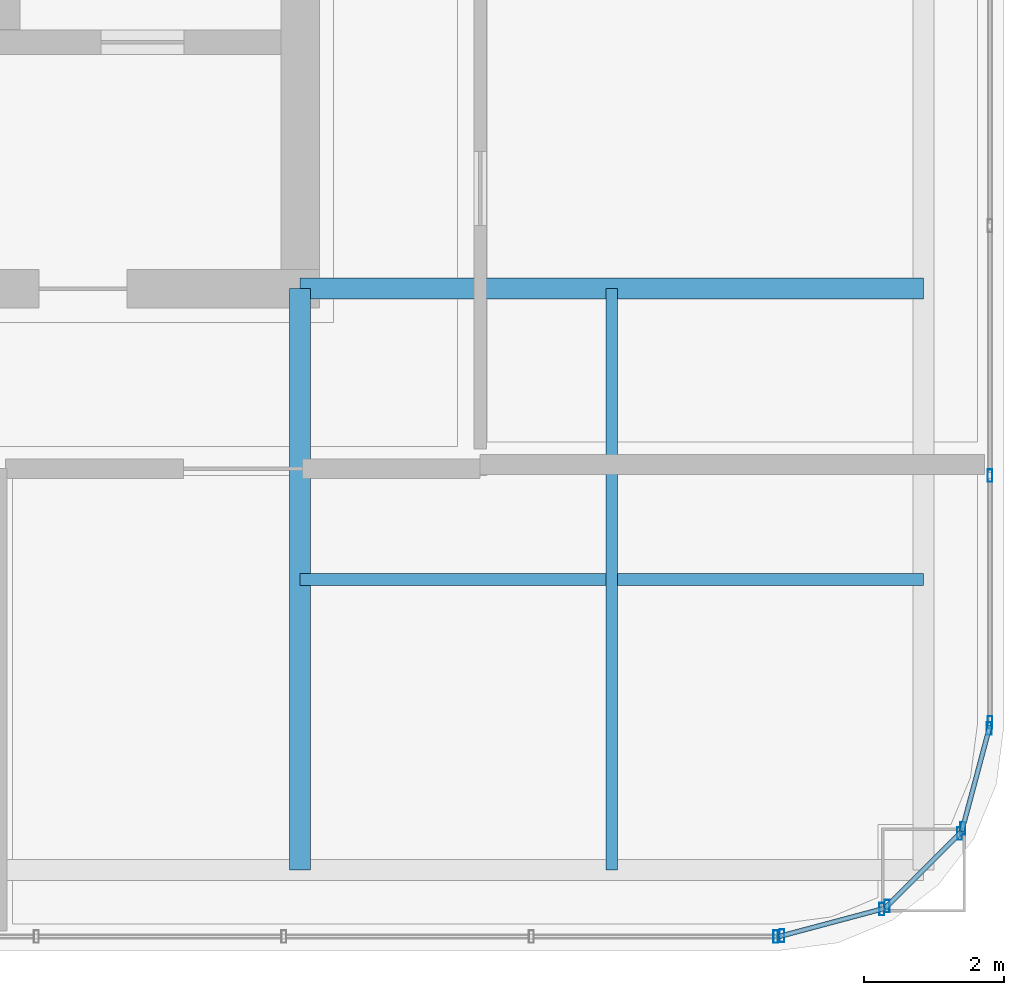
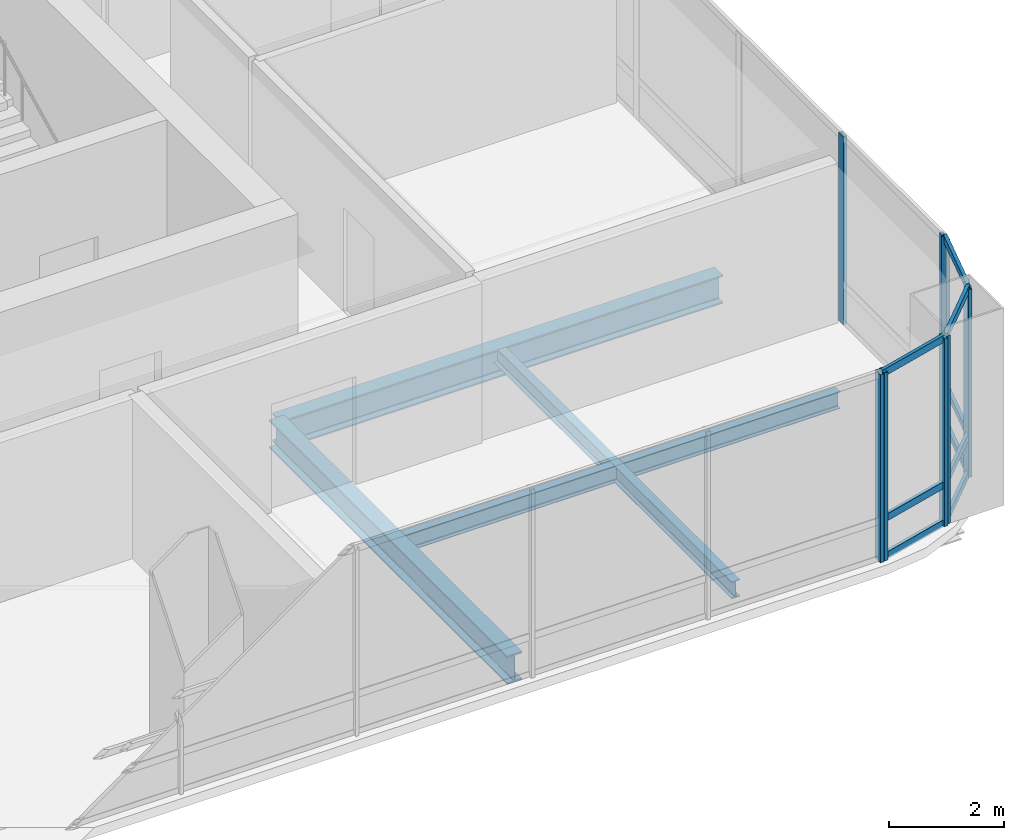
# One storey, part 16 of 42: 18 members, 4 beams, 5 elements without a shape of their own.
"""IFC4 building model written with IfcOpenShell, lengths in metres."""

from ifc_helpers import new_model, si_unit, direction, frame, origin, origin_2d, place, context, subcontext, project, spatial, hollow_rectangle, i_section, extrude, material, material_profile, profile_set, type_object, element, aggregate, save


model = new_model("IFC4")

# Units and contexts
model_context = context("Model", 3, precision=1e-05, world=origin(), true_north=direction((0.0, 1.0)))
body_context = subcontext(model_context, "Body", "Model", "MODEL_VIEW")
ifc_project = project(units=[si_unit("LENGTHUNIT", "METRE"), si_unit("AREAUNIT", "SQUARE_METRE"), si_unit("VOLUMEUNIT", "CUBIC_METRE"), si_unit("PLANEANGLEUNIT", "RADIAN"), si_unit("MASSUNIT", "GRAM", prefix="KILO")], contexts=[model_context])

# Site, building, storey
site_placement = place(None, origin())
site = spatial("IfcSite", under=ifc_project, at=site_placement, CompositionType="ELEMENT")
building_placement = place(site_placement, origin())
building = spatial("IfcBuilding", under=site, at=building_placement, Name="Punatoya Terracotta Tower", CompositionType="ELEMENT")
storey_placement = place(building_placement, frame((0.0, 0.0, 304.800048828125)))
storey = spatial("IfcBuildingStorey", under=building, at=storey_placement, Name="L72", CompositionType="ELEMENT", Elevation=304.800048828125)

# Beams
ifc_material_1 = material(Name="Steel S355", Category="steel")
ifc_material_profile_1 = material_profile(ifc_material_1, i_section(OverallWidth=0.300048828125, OverallDepth=0.60009765625, WebThickness=0.015380859375, FlangeThickness=0.030029296875, FilletRadius=0.01806640625, at=origin_2d()))
ifc_profile_set_1 = profile_set([ifc_material_profile_1], Name="Steel S355")
beam_type_1 = type_object("IfcBeamType", Name="BM-PRI-600", PredefinedType="BEAM", material=ifc_profile_set_1)
beam_1_placement = place(storey_placement, frame((10.199951171875, -9.199951171875, -0.5), z_axis=(1.0, 0.0, 0.0), x_axis=(0.0, 1.0, 0.0)))
element("IfcBeam", 1, at=beam_1_placement, inside=storey, type_object=beam_type_1, Name="BM-L72-PR-ES", PredefinedType="BEAM", context=body_context, shape_type="SweptSolid", body=[
    extrude(i_section(OverallWidth=0.300048828125, OverallDepth=0.60009765625, WebThickness=0.015380859375, FlangeThickness=0.030029296875, FilletRadius=0.01806640625, at=origin_2d()), origin(), (0.0, 0.0, 1.0), 8.900146484375),
])
beam_2_placement = place(storey_placement, frame((10.199951171875, -17.5, -0.5), z_axis=(0.0, 1.0, 0.0), x_axis=(-1.0, 0.0, 0.0)))
element("IfcBeam", 2, at=beam_2_placement, inside=storey, type_object=beam_type_1, Name="BM-L72-PR-S4", PredefinedType="BEAM", context=body_context, shape_type="SweptSolid", body=[
    extrude(i_section(OverallWidth=0.300048828125, OverallDepth=0.60009765625, WebThickness=0.015380859375, FlangeThickness=0.030029296875, FilletRadius=0.01806640625, at=origin_2d()), origin(), (0.0, 0.0, 1.0), 8.300048828125),
])
ifc_material_profile_2 = material_profile(ifc_material_1, i_section(OverallWidth=0.169921875, OverallDepth=0.360107421875, WebThickness=0.008056640625, FlangeThickness=0.0126953125, FilletRadius=0.01806640625, at=origin_2d()))
ifc_profile_set_2 = profile_set([ifc_material_profile_2], Name="Steel S355")
beam_type_2 = type_object("IfcBeamType", Name="BM-SEC-360", PredefinedType="JOIST", material=ifc_profile_set_2)
beam_3_placement = place(storey_placement, frame((10.199951171875, -13.35009765625, -0.380126953125), z_axis=(1.0, 0.0, 0.0), x_axis=(0.0, 1.0, 0.0)))
element("IfcBeam", 3, at=beam_3_placement, inside=storey, type_object=beam_type_2, Name="BM-L72-SJS-2", PredefinedType="JOIST", context=body_context, shape_type="SweptSolid", body=[
    extrude(i_section(OverallWidth=0.169921875, OverallDepth=0.360107421875, WebThickness=0.008056640625, FlangeThickness=0.0126953125, FilletRadius=0.01806640625, at=origin_2d()), origin(), (0.0, 0.0, 1.0), 8.900146484375),
])
beam_4_placement = place(storey_placement, frame((14.64990234375, -17.5, -0.380126953125), z_axis=(0.0, 1.0, 0.0), x_axis=(-1.0, 0.0, 0.0)))
element("IfcBeam", 4, at=beam_4_placement, inside=storey, type_object=beam_type_2, Name="BM-L72-SJE-1", PredefinedType="JOIST", context=body_context, shape_type="SweptSolid", body=[
    extrude(i_section(OverallWidth=0.169921875, OverallDepth=0.360107421875, WebThickness=0.008056640625, FlangeThickness=0.0126953125, FilletRadius=0.01806640625, at=origin_2d()), origin(), (0.0, 0.0, 1.0), 8.300048828125),
])

# Curtain wall, member
ifc_material_2 = material(Name="Aluminium 6063-T6 + Double Low-E Glass", Category="aluminium")
curtain_wall_type = type_object("IfcCurtainWallType", Name="CW-M3", PredefinedType="NOTDEFINED", material=ifc_material_2)
curtain_wall_1_placement = place(storey_placement, origin())
curtain_wall_1 = element("IfcCurtainWall", 5, at=curtain_wall_1_placement, inside=storey, type_object=curtain_wall_type, Name="L72 Curtain Wall CW-L72-S01-1", PredefinedType="NOTDEFINED")
ifc_material_3 = material(Name="Aluminium 6063-T6", Category="aluminium")
ifc_material_profile_3 = material_profile(ifc_material_3, hollow_rectangle(XDim=0.070068359375, YDim=0.179931640625, WallThickness=0.00390625, at=origin_2d()))
ifc_profile_set_3 = profile_set([ifc_material_profile_3], Name="Aluminium 6063-T6")
member_type_1 = type_object("IfcMemberType", Name="CW-MUL-M3", PredefinedType="MULLION", material=ifc_profile_set_3)
member_1_placement = place(storey_placement, frame((16.991943359375, -18.449951171875, 0.0), z_axis=(0.0, 0.0, 1.0), x_axis=(1.0, 0.0, 0.0)))
member_1 = element("IfcMember", 6, at=member_1_placement, type_object=member_type_1, Name="CW-L72-S01-1 Mullion 11", PredefinedType="MULLION", context=body_context, shape_type="SweptSolid", body=[
    extrude(hollow_rectangle(XDim=0.070068359375, YDim=0.179931640625, WallThickness=0.00390625, at=origin_2d()), origin(), (0.0, 0.0, 1.0), 4.0),
])
aggregate(curtain_wall_1, [member_1])

# Curtain wall, members
curtain_wall_2_placement = place(storey_placement, origin())
curtain_wall_2 = element("IfcCurtainWall", 7, at=curtain_wall_2_placement, inside=storey, type_object=curtain_wall_type, Name="L72 Curtain Wall CW-L72-CRN02", PredefinedType="NOTDEFINED")
member_2_placement = place(storey_placement, frame((17.080322265625, -18.4384765625, 0.0), z_axis=(0.0, 0.0, 1.0), x_axis=(1.0, 0.0, 0.0)))
member_2 = element("IfcMember", 8, at=member_2_placement, type_object=member_type_1, Name="CW-L72-CRN02 Mullion 00", PredefinedType="MULLION", context=body_context, shape_type="SweptSolid", body=[
    extrude(hollow_rectangle(XDim=0.070068359375, YDim=0.179931640625, WallThickness=0.00390625, at=origin_2d()), origin(), (0.0, 0.0, 1.0), 4.0),
])
member_3_placement = place(storey_placement, frame((18.505615234375, -18.05810546875, 0.0), z_axis=(0.0, 0.0, 1.0), x_axis=(1.0, 0.0, 0.0)))
member_3 = element("IfcMember", 9, at=member_3_placement, type_object=member_type_1, Name="CW-L72-CRN02 Mullion 01", PredefinedType="MULLION", context=body_context, shape_type="SweptSolid", body=[
    extrude(hollow_rectangle(XDim=0.070068359375, YDim=0.179931640625, WallThickness=0.00390625, at=origin_2d()), origin(), (0.0, 0.0, 1.0), 4.0),
])

curtain_wall_3_placement = place(storey_placement, origin())
curtain_wall_3 = element("IfcCurtainWall", 10, at=curtain_wall_3_placement, inside=storey, type_object=curtain_wall_type, Name="L72 Curtain Wall CW-L72-CRN03", PredefinedType="NOTDEFINED")
member_4_placement = place(storey_placement, frame((18.580810546875, -18.014892578125, 0.0), z_axis=(0.0, 0.0, 1.0), x_axis=(1.0, 0.0, 0.0)))
member_4 = element("IfcMember", 11, at=member_4_placement, type_object=member_type_1, Name="CW-L72-CRN03 Mullion 00", PredefinedType="MULLION", context=body_context, shape_type="SweptSolid", body=[
    extrude(hollow_rectangle(XDim=0.070068359375, YDim=0.179931640625, WallThickness=0.00390625, at=origin_2d()), origin(), (0.0, 0.0, 1.0), 4.0),
])
member_5_placement = place(storey_placement, frame((19.61474609375, -16.98095703125, 0.0), z_axis=(0.0, 0.0, 1.0), x_axis=(1.0, 0.0, 0.0)))
member_5 = element("IfcMember", 12, at=member_5_placement, type_object=member_type_1, Name="CW-L72-CRN03 Mullion 01", PredefinedType="MULLION", context=body_context, shape_type="SweptSolid", body=[
    extrude(hollow_rectangle(XDim=0.070068359375, YDim=0.179931640625, WallThickness=0.00390625, at=origin_2d()), origin(), (0.0, 0.0, 1.0), 4.0),
])

curtain_wall_4_placement = place(storey_placement, origin())
curtain_wall_4 = element("IfcCurtainWall", 13, at=curtain_wall_4_placement, inside=storey, type_object=curtain_wall_type, Name="L72 Curtain Wall CW-L72-CRN04", PredefinedType="NOTDEFINED")
member_6_placement = place(storey_placement, frame((19.658203125, -16.905517578125, 0.0), z_axis=(0.0, 0.0, 1.0), x_axis=(1.0, 0.0, 0.0)))
member_6 = element("IfcMember", 14, at=member_6_placement, type_object=member_type_1, Name="CW-L72-CRN04 Mullion 00", PredefinedType="MULLION", context=body_context, shape_type="SweptSolid", body=[
    extrude(hollow_rectangle(XDim=0.070068359375, YDim=0.179931640625, WallThickness=0.00390625, at=origin_2d()), origin(), (0.0, 0.0, 1.0), 4.0),
])
member_7_placement = place(storey_placement, frame((20.038330078125, -15.48046875, 0.0), z_axis=(0.0, 0.0, 1.0), x_axis=(1.0, 0.0, 0.0)))
member_7 = element("IfcMember", 15, at=member_7_placement, type_object=member_type_1, Name="CW-L72-CRN04 Mullion 01", PredefinedType="MULLION", context=body_context, shape_type="SweptSolid", body=[
    extrude(hollow_rectangle(XDim=0.070068359375, YDim=0.179931640625, WallThickness=0.00390625, at=origin_2d()), origin(), (0.0, 0.0, 1.0), 4.0),
])

curtain_wall_5_placement = place(storey_placement, origin())
curtain_wall_5 = element("IfcCurtainWall", 16, at=curtain_wall_5_placement, inside=storey, type_object=curtain_wall_type, Name="L72 Curtain Wall CW-L72-E05-1", PredefinedType="NOTDEFINED")
member_8_placement = place(storey_placement, frame((20.050048828125, -15.391845703125, 0.0), z_axis=(0.0, 0.0, 1.0), x_axis=(1.0, 0.0, 0.0)))
member_8 = element("IfcMember", 17, at=member_8_placement, type_object=member_type_1, Name="CW-L72-E05-1 Mullion 00", PredefinedType="MULLION", context=body_context, shape_type="SweptSolid", body=[
    extrude(hollow_rectangle(XDim=0.070068359375, YDim=0.179931640625, WallThickness=0.00390625, at=origin_2d()), origin(), (0.0, 0.0, 1.0), 4.0),
])
member_9_placement = place(storey_placement, frame((20.050048828125, -11.869384765625, 0.0), z_axis=(0.0, 0.0, 1.0), x_axis=(1.0, 0.0, 0.0)))
member_9 = element("IfcMember", 18, at=member_9_placement, type_object=member_type_1, Name="CW-L72-E05-1 Mullion 01", PredefinedType="MULLION", context=body_context, shape_type="SweptSolid", body=[
    extrude(hollow_rectangle(XDim=0.070068359375, YDim=0.179931640625, WallThickness=0.00390625, at=origin_2d()), origin(), (0.0, 0.0, 1.0), 4.0),
])
aggregate(curtain_wall_5, [member_8, member_9])

# Member
ifc_material_profile_4 = material_profile(ifc_material_3, hollow_rectangle(XDim=0.068115234375, YDim=0.14990234375, WallThickness=0.00390625, at=origin_2d()))
ifc_profile_set_4 = profile_set([ifc_material_profile_4], Name="Aluminium 6063-T6")
member_type_2 = type_object("IfcMemberType", Name="CW-TRN-TYP", PredefinedType="USERDEFINED", material=ifc_profile_set_4)
member_10_placement = place(storey_placement, frame((17.036865234375, -18.449951171875, 0.0400390625), z_axis=(0.966224582397, 0.257701486942, 0.0), x_axis=(-0.257701486942, 0.966224582397, 0.0)))
member_10 = element("IfcMember", 19, at=member_10_placement, type_object=member_type_2, Name="CW-L72-CRN02 Transom 1", ObjectType="TRANSOM", PredefinedType="USERDEFINED", context=body_context, shape_type="SweptSolid", body=[
    extrude(hollow_rectangle(XDim=0.068115234375, YDim=0.14990234375, WallThickness=0.00390625, at=origin_2d()), origin(), (0.0, 0.0, 1.0), 1.565185546875),
])

member_11_placement = place(storey_placement, frame((17.036865234375, -18.449951171875, 0.849853515625), z_axis=(0.966224582397, 0.257701486942, 0.0), x_axis=(-0.257701486942, 0.966224582397, 0.0)))
member_11 = element("IfcMember", 20, at=member_11_placement, type_object=member_type_2, Name="CW-L72-CRN02 Transom 2", ObjectType="TRANSOM", PredefinedType="USERDEFINED", context=body_context, shape_type="SweptSolid", body=[
    extrude(hollow_rectangle(XDim=0.068115234375, YDim=0.14990234375, WallThickness=0.00390625, at=origin_2d()), origin(), (0.0, 0.0, 1.0), 1.565185546875),
])

member_12_placement = place(storey_placement, frame((17.036865234375, -18.449951171875, 3.9599609375), z_axis=(0.966224582397, 0.257701486942, 0.0), x_axis=(-0.257701486942, 0.966224582397, 0.0)))
member_12 = element("IfcMember", 21, at=member_12_placement, type_object=member_type_2, Name="CW-L72-CRN02 Transom 3", ObjectType="TRANSOM", PredefinedType="USERDEFINED", context=body_context, shape_type="SweptSolid", body=[
    extrude(hollow_rectangle(XDim=0.068115234375, YDim=0.14990234375, WallThickness=0.00390625, at=origin_2d()), origin(), (0.0, 0.0, 1.0), 1.565185546875),
])

aggregate(curtain_wall_2, [member_2, member_3, member_10, member_11, member_12])

member_13_placement = place(storey_placement, frame((18.549072265625, -18.046630859375, 0.0400390625), z_axis=(0.707106781187, 0.707106781187, 0.0), x_axis=(-0.707106781187, 0.707106781187, 0.0)))
member_13 = element("IfcMember", 22, at=member_13_placement, type_object=member_type_2, Name="CW-L72-CRN03 Transom 1", ObjectType="TRANSOM", PredefinedType="USERDEFINED", context=body_context, shape_type="SweptSolid", body=[
    extrude(hollow_rectangle(XDim=0.068115234375, YDim=0.14990234375, WallThickness=0.00390625, at=origin_2d()), origin(), (0.0, 0.0, 1.0), 1.552001953125),
])

member_14_placement = place(storey_placement, frame((18.549072265625, -18.046630859375, 0.849853515625), z_axis=(0.707106781187, 0.707106781187, 0.0), x_axis=(-0.707106781187, 0.707106781187, 0.0)))
member_14 = element("IfcMember", 23, at=member_14_placement, type_object=member_type_2, Name="CW-L72-CRN03 Transom 2", ObjectType="TRANSOM", PredefinedType="USERDEFINED", context=body_context, shape_type="SweptSolid", body=[
    extrude(hollow_rectangle(XDim=0.068115234375, YDim=0.14990234375, WallThickness=0.00390625, at=origin_2d()), origin(), (0.0, 0.0, 1.0), 1.552001953125),
])

member_15_placement = place(storey_placement, frame((18.549072265625, -18.046630859375, 3.9599609375), z_axis=(0.707106781187, 0.707106781187, 0.0), x_axis=(-0.707106781187, 0.707106781187, 0.0)))
member_15 = element("IfcMember", 24, at=member_15_placement, type_object=member_type_2, Name="CW-L72-CRN03 Transom 3", ObjectType="TRANSOM", PredefinedType="USERDEFINED", context=body_context, shape_type="SweptSolid", body=[
    extrude(hollow_rectangle(XDim=0.068115234375, YDim=0.14990234375, WallThickness=0.00390625, at=origin_2d()), origin(), (0.0, 0.0, 1.0), 1.552001953125),
])

aggregate(curtain_wall_3, [member_4, member_5, member_13, member_14, member_15])

member_16_placement = place(storey_placement, frame((19.646484375, -16.94921875, 0.0400390625), z_axis=(0.257847112249, 0.966185730957, 0.0), x_axis=(-0.966185730957, 0.257847112249, 0.0)))
member_16 = element("IfcMember", 25, at=member_16_placement, type_object=member_type_2, Name="CW-L72-CRN04 Transom 1", ObjectType="TRANSOM", PredefinedType="USERDEFINED", context=body_context, shape_type="SweptSolid", body=[
    extrude(hollow_rectangle(XDim=0.068115234375, YDim=0.14990234375, WallThickness=0.00390625, at=origin_2d()), origin(), (0.0, 0.0, 1.0), 1.565185546875),
])

member_17_placement = place(storey_placement, frame((19.646484375, -16.94921875, 0.849853515625), z_axis=(0.257847112249, 0.966185730957, 0.0), x_axis=(-0.966185730957, 0.257847112249, 0.0)))
member_17 = element("IfcMember", 26, at=member_17_placement, type_object=member_type_2, Name="CW-L72-CRN04 Transom 2", ObjectType="TRANSOM", PredefinedType="USERDEFINED", context=body_context, shape_type="SweptSolid", body=[
    extrude(hollow_rectangle(XDim=0.068115234375, YDim=0.14990234375, WallThickness=0.00390625, at=origin_2d()), origin(), (0.0, 0.0, 1.0), 1.565185546875),
])

member_18_placement = place(storey_placement, frame((19.646484375, -16.94921875, 3.9599609375), z_axis=(0.257847112249, 0.966185730957, 0.0), x_axis=(-0.966185730957, 0.257847112249, 0.0)))
member_18 = element("IfcMember", 27, at=member_18_placement, type_object=member_type_2, Name="CW-L72-CRN04 Transom 3", ObjectType="TRANSOM", PredefinedType="USERDEFINED", context=body_context, shape_type="SweptSolid", body=[
    extrude(hollow_rectangle(XDim=0.068115234375, YDim=0.14990234375, WallThickness=0.00390625, at=origin_2d()), origin(), (0.0, 0.0, 1.0), 1.565185546875),
])

aggregate(curtain_wall_4, [member_6, member_7, member_16, member_17, member_18])

save(model, "model.ifc")
